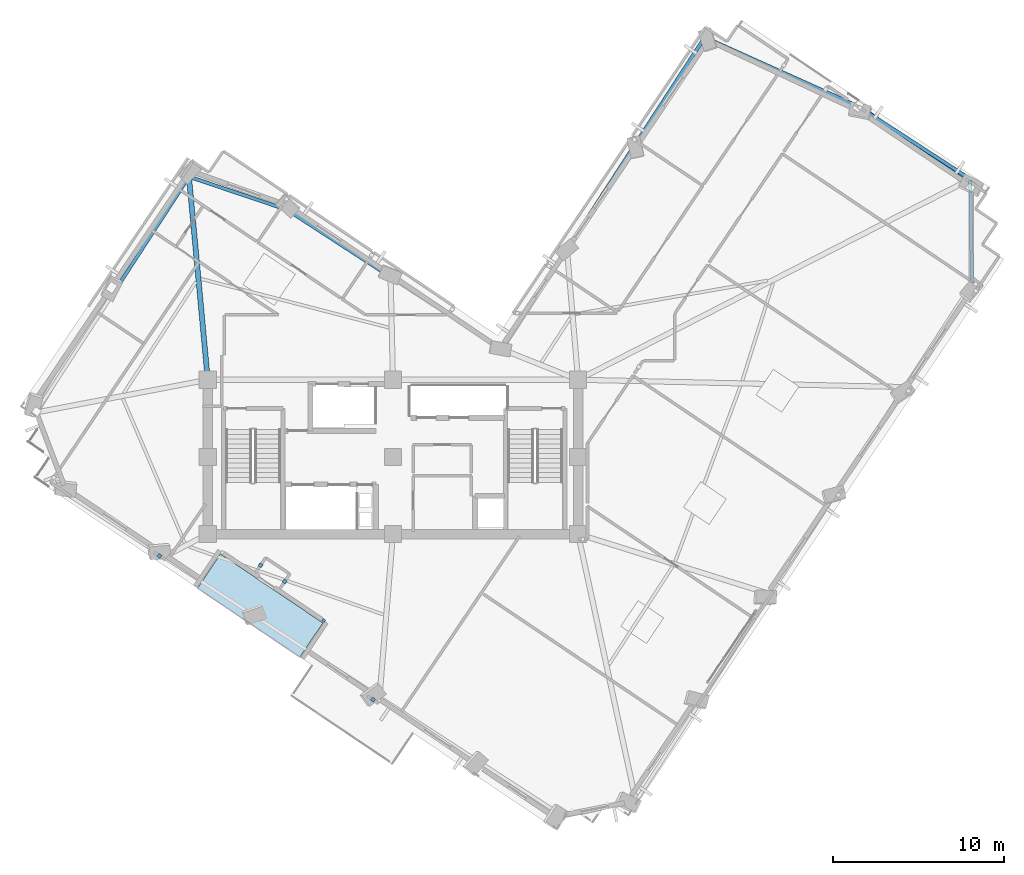
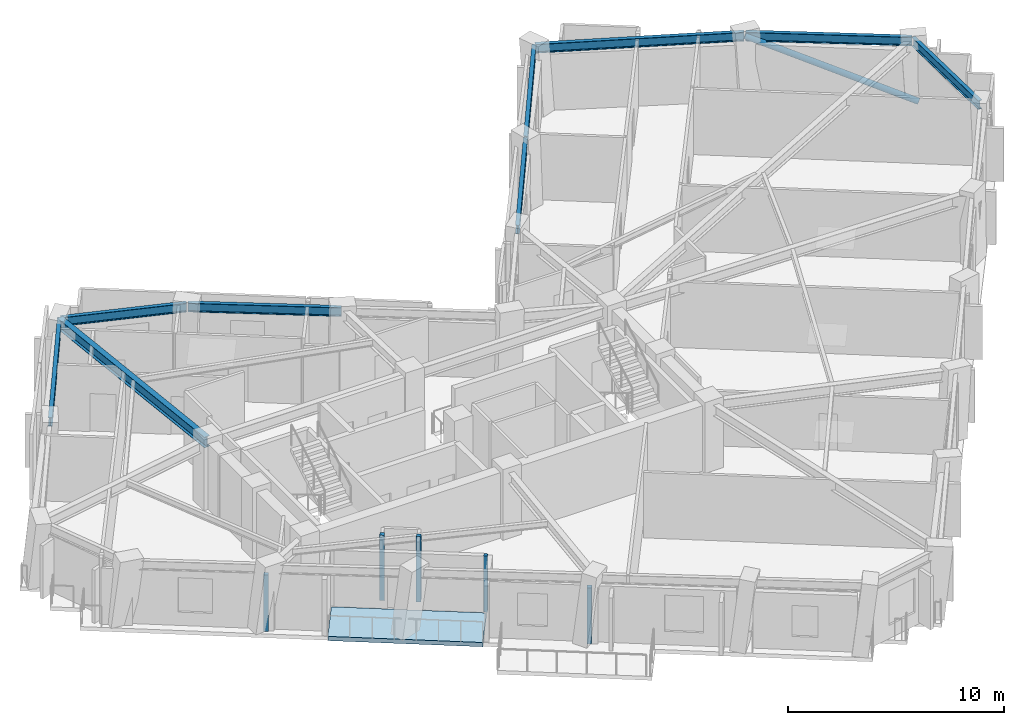
# One storey, part 3 of 14: 9 beams, 5 plates, 1 member, 1 slab.
"""IFC4 building model written with IfcOpenShell, lengths in metres."""

from ifc_helpers import new_model, si_unit, direction, frame, origin, origin_2d, place, context, subcontext, project, spatial, polyline, rectangle, hollow_circle, i_section, outline, extrude, material, layer, layer_set, material_profile, profile_set, type_object, element, save


model = new_model("IFC4")

# Units and contexts
model_context = context("Model", 3, precision=1e-05, world=origin(), true_north=direction((0.0, 1.0)))
body_context = subcontext(model_context, "Body", "Model", "MODEL_VIEW")
ifc_project = project(units=[si_unit("LENGTHUNIT", "METRE"), si_unit("AREAUNIT", "SQUARE_METRE"), si_unit("VOLUMEUNIT", "CUBIC_METRE"), si_unit("PLANEANGLEUNIT", "RADIAN"), si_unit("MASSUNIT", "GRAM", prefix="KILO")], contexts=[model_context])

# Site, building, storey
site_placement = place(None, origin())
site = spatial("IfcSite", under=ifc_project, at=site_placement, CompositionType="ELEMENT")
building_placement = place(site_placement, origin())
building = spatial("IfcBuilding", under=site, at=building_placement, Name="Gaonmaruhae Medical Tower", CompositionType="ELEMENT")
storey_placement = place(building_placement, frame((0.0, 0.0, 263.199951171875)))
storey = spatial("IfcBuildingStorey", under=building, at=storey_placement, Name="L63", CompositionType="ELEMENT", Elevation=263.199951171875)

# Member
ifc_material_1 = material(Name="Steel SM355", Category="steel")
ifc_material_profile_1 = material_profile(ifc_material_1, hollow_circle(Radius=0.1591796875, WallThickness=0.01025390625, at=origin_2d()), Name="CHS-318.5x10.3")
ifc_profile_set_1 = profile_set([ifc_material_profile_1], Name="Steel SM355")
member_type = type_object("IfcMemberType", Name="PB-03 Perimeter Solid-Bay Tube Brace Upper (CHS-318.5x10.3)", PredefinedType="BRACE", material=ifc_profile_set_1)
member_placement = place(storey_placement, frame((58.53515625, 28.08447265625, 0.25), z_axis=(-0.75942563802, 0.536362617678, 0.36822254504), x_axis=(-0.576896718359, -0.816817100915, 0.0)))
element("IfcMember", 1, at=member_placement, inside=storey, type_object=member_type, Name="L63 Perimeter Tube Solid-Bay Brace E01-E02", PredefinedType="BRACE", context=body_context, shape_type="SweptSolid", body=[
    extrude(hollow_circle(Radius=0.1591796875, WallThickness=0.01025390625, at=origin_2d()), origin(), (0.0, 0.0, 1.0), 8.690185546875),
])

# Beams
ifc_material_2 = material(Name="Steel SM420", Category="steel")
ifc_material_profile_2 = material_profile(ifc_material_2, i_section(OverallWidth=0.300048828125, OverallDepth=0.60009765625, WebThickness=0.011962890625, FlangeThickness=0.02001953125, FilletRadius=0.012939453125, at=origin_2d()), Name="H-600x300x12x20")
ifc_profile_set_2 = profile_set([ifc_material_profile_2], Name="Steel SM420")
beam_type_1 = type_object("IfcBeamType", Name="PG-04 Zone 4 Radial Floor Girder (H-600x300x12x20)", PredefinedType="BEAM", material=ifc_profile_set_2)
beam_1_placement = place(storey_placement, frame((13.995361328125, 16.849853515625, 3.400146484375), z_axis=(-0.092191368153, 0.995741307589, 0.0), x_axis=(-0.995741307589, -0.092191368153, 0.0)))
element("IfcBeam", 2, at=beam_1_placement, inside=storey, type_object=beam_type_1, Name="L63 Radial Primary Girder N01", PredefinedType="BEAM", context=body_context, shape_type="SweptSolid", body=[
    extrude(i_section(OverallWidth=0.300048828125, OverallDepth=0.60009765625, WebThickness=0.011962890625, FlangeThickness=0.02001953125, FilletRadius=0.012939453125, at=origin_2d()), origin(), (0.0, 0.0, 1.0), 11.79248046875),
])
ifc_material_profile_3 = material_profile(ifc_material_1, i_section(OverallWidth=0.199951171875, OverallDepth=0.5, WebThickness=0.010009765625, FlangeThickness=0.01611328125, FilletRadius=0.012939453125, at=origin_2d()), Name="H-500x200x10x16")
ifc_profile_set_3 = profile_set([ifc_material_profile_3], Name="Steel SM355")
beam_type_2 = type_object("IfcBeamType", Name="SP-02 Upper Perimeter Spandrel Beam (H-500x200x10x16)", PredefinedType="SPANDREL", material=ifc_profile_set_3)
beam_2_placement = place(storey_placement, frame((58.57763671875, 22.450439453125, 3.449951171875), z_axis=(-0.016620341633, 0.999861872582, 0.0), x_axis=(-0.999861872582, -0.016620341633, 0.0)))
element("IfcBeam", 3, at=beam_2_placement, inside=storey, type_object=beam_type_2, Name="L63 Perimeter Spandrel Beam S06-E01", PredefinedType="SPANDREL", context=body_context, shape_type="SweptSolid", body=[
    extrude(i_section(OverallWidth=0.199951171875, OverallDepth=0.5, WebThickness=0.010009765625, FlangeThickness=0.01611328125, FilletRadius=0.012939453125, at=origin_2d()), origin(), (0.0, 0.0, 1.0), 6.0078125),
])
beam_3_placement = place(storey_placement, frame((58.443603515625, 28.519287109375, 3.449951171875), z_axis=(-0.838674747919, 0.544632598366, 0.0), x_axis=(-0.544632598366, -0.838674747919, 0.0)))
element("IfcBeam", 4, at=beam_3_placement, inside=storey, type_object=beam_type_2, Name="L63 Perimeter Spandrel Beam E01-E02", PredefinedType="SPANDREL", context=body_context, shape_type="SweptSolid", body=[
    extrude(i_section(OverallWidth=0.199951171875, OverallDepth=0.5, WebThickness=0.010009765625, FlangeThickness=0.01611328125, FilletRadius=0.012939453125, at=origin_2d()), origin(), (0.0, 0.0, 1.0), 7.719970703125),
])
beam_4_placement = place(storey_placement, frame((51.899169921875, 32.761962890625, 3.449951171875), z_axis=(-0.912053311892, 0.410071647724, 0.0), x_axis=(-0.410071647724, -0.912053311892, 0.0)))
element("IfcBeam", 5, at=beam_4_placement, inside=storey, type_object=beam_type_2, Name="L63 Perimeter Spandrel Beam E02-E03", PredefinedType="SPANDREL", context=body_context, shape_type="SweptSolid", body=[
    extrude(i_section(OverallWidth=0.199951171875, OverallDepth=0.5, WebThickness=0.010009765625, FlangeThickness=0.01611328125, FilletRadius=0.012939453125, at=origin_2d()), origin(), (0.0, 0.0, 1.0), 9.7353515625),
])
beam_5_placement = place(storey_placement, frame((42.961669921875, 36.737060546875, 3.449951171875), z_axis=(-0.544628730556, -0.838677259649, 0.0), x_axis=(0.838677259649, -0.544628730556, 0.0)))
element("IfcBeam", 6, at=beam_5_placement, inside=storey, type_object=beam_type_2, Name="L63 Perimeter Spandrel Beam E03-EN01", PredefinedType="SPANDREL", context=body_context, shape_type="SweptSolid", body=[
    extrude(i_section(OverallWidth=0.199951171875, OverallDepth=0.5, WebThickness=0.010009765625, FlangeThickness=0.01611328125, FilletRadius=0.012939453125, at=origin_2d()), origin(), (0.0, 0.0, 1.0), 7.469970703125),
])
beam_6_placement = place(storey_placement, frame((38.849609375, 30.405029296875, 3.449951171875), z_axis=(-0.544633948011, -0.838673871463, 0.0), x_axis=(0.838673871463, -0.544633948011, 0.0)))
element("IfcBeam", 7, at=beam_6_placement, inside=storey, type_object=beam_type_2, Name="L63 Perimeter Spandrel Beam EN01-EN02", PredefinedType="SPANDREL", context=body_context, shape_type="SweptSolid", body=[
    extrude(i_section(OverallWidth=0.199951171875, OverallDepth=0.5, WebThickness=0.010009765625, FlangeThickness=0.01611328125, FilletRadius=0.012939453125, at=origin_2d()), origin(), (0.0, 0.0, 1.0), 7.119873046875),
])
beam_7_placement = place(storey_placement, frame((24.631591796875, 22.814208984375, 3.449951171875), z_axis=(-0.838684042444, 0.544618285545, 0.0), x_axis=(-0.544618285545, -0.838684042444, 0.0)))
element("IfcBeam", 8, at=beam_7_placement, inside=storey, type_object=beam_type_2, Name="L63 Perimeter Spandrel Beam NE01-NE02", PredefinedType="SPANDREL", context=body_context, shape_type="SweptSolid", body=[
    extrude(i_section(OverallWidth=0.199951171875, OverallDepth=0.5, WebThickness=0.010009765625, FlangeThickness=0.01611328125, FilletRadius=0.012939453125, at=origin_2d()), origin(), (0.0, 0.0, 1.0), 7.1201171875),
])
beam_8_placement = place(storey_placement, frame((18.5888671875, 26.7265625, 3.449951171875), z_axis=(-0.947666537012, 0.319261859024, 0.0), x_axis=(-0.319261859024, -0.947666537012, 0.0)))
element("IfcBeam", 9, at=beam_8_placement, inside=storey, type_object=beam_type_2, Name="L63 Perimeter Spandrel Beam NE02-N01", PredefinedType="SPANDREL", context=body_context, shape_type="SweptSolid", body=[
    extrude(i_section(OverallWidth=0.199951171875, OverallDepth=0.5, WebThickness=0.010009765625, FlangeThickness=0.01611328125, FilletRadius=0.012939453125, at=origin_2d()), origin(), (0.0, 0.0, 1.0), 5.959228515625),
])
beam_9_placement = place(storey_placement, frame((12.8818359375, 28.6083984375, 3.449951171875), z_axis=(-0.544648014142, -0.838664736764, 0.0), x_axis=(0.838664736764, -0.544648014142, 0.0)))
element("IfcBeam", 10, at=beam_9_placement, inside=storey, type_object=beam_type_2, Name="L63 Perimeter Spandrel Beam N01-N02", PredefinedType="SPANDREL", context=body_context, shape_type="SweptSolid", body=[
    extrude(i_section(OverallWidth=0.199951171875, OverallDepth=0.5, WebThickness=0.010009765625, FlangeThickness=0.01611328125, FilletRadius=0.012939453125, at=origin_2d()), origin(), (0.0, 0.0, 1.0), 8.1201171875),
])

# Plates
ifc_material_3 = material(Name="Anodised aluminium 6063-T6", Category="aluminium")
ifc_layer_1 = layer(ifc_material_3, 0.011962890625)
ifc_layer_set_1 = layer_set([ifc_layer_1], Name="Anodised aluminium 6063-T6")
plate_type = type_object("IfcPlateType", Name="PP-01 Interior Partition Corner Stiffener Plate", PredefinedType="SHEET", material=ifc_layer_set_1)
plate_1_placement = place(storey_placement, frame((20.75830078125, 2.753173828125, 0.0), z_axis=(0.0, 0.0, 1.0), x_axis=(-0.829525244685, 0.558469218875, 0.0)))
element("IfcPlate", 11, at=plate_1_placement, inside=storey, type_object=plate_type, Name="L63 Partition End Jamb Post Plate PLT-L63-ENDP-TERB-0", PredefinedType="SHEET", context=body_context, shape_type="SweptSolid", body=[
    extrude(rectangle(XDim=0.179931640625, YDim=0.179931640625, at=origin_2d()), origin(), (0.0, 0.0, 1.0), 3.18505859375),
])
plate_2_placement = place(storey_placement, frame((23.638427734375, -1.862548828125, 0.0), z_axis=(0.0, 0.0, 1.0), x_axis=(-0.82989545303, 0.557918934112, 0.0)))
element("IfcPlate", 12, at=plate_2_placement, inside=storey, type_object=plate_type, Name="L63 Partition Corner Stiffener Plate PLT-L63-JGP-PW038", PredefinedType="SHEET", context=body_context, shape_type="SweptSolid", body=[
    extrude(rectangle(XDim=0.219970703125, YDim=0.219970703125, at=origin_2d()), origin(), (0.0, 0.0, 1.0), 3.18505859375),
])
for number, where, z_axis, x_axis, name in (
    (13, (18.489013671875, 5.031494140625, 0.0), (0.0, 0.0, 1.0), (0.559062671655, 0.829125400143, 0.0), "L63 Partition Corner Stiffener Plate PLT-L63-JGP-PW041"),
    (14, (17.07861328125, 5.98046875, 0.0), (0.0, 0.0, 1.0), (-0.558411305727, -0.82956423117, 0.0), "L63 Partition Corner Stiffener Plate PLT-L63-JGP-PW043"),
):
    element("IfcPlate", number, at=place(storey_placement, frame(where, z_axis=z_axis, x_axis=x_axis)), inside=storey, type_object=plate_type, Name=name, PredefinedType="SHEET", context=body_context, shape_type="SweptSolid", body=[
        extrude(rectangle(XDim=0.219970703125, YDim=0.219970703125, at=origin_2d()), origin(), (0.0, 0.0, 1.0), 3.699951171875),
    ])
plate_3_placement = place(storey_placement, frame((11.1845703125, 6.5224609375, 0.0), z_axis=(0.0, 0.0, 1.0), x_axis=(-0.82938876015, 0.558671893455, 0.0)))
element("IfcPlate", 15, at=plate_3_placement, inside=storey, type_object=plate_type, Name="L63 Partition Corner Stiffener Plate PLT-L63-JGP-PW048", PredefinedType="SHEET", context=body_context, shape_type="SweptSolid", body=[
    extrude(rectangle(XDim=0.219970703125, YDim=0.219970703125, at=origin_2d()), origin(), (0.0, 0.0, 1.0), 3.18505859375),
])

# Slab
ifc_material_4 = material(Name="Concrete C40/50", Category="concrete")
ifc_layer_2 = layer(ifc_material_4, 0.239990234375)
ifc_layer_set_2 = layer_set([ifc_layer_2], Name="Concrete C40/50")
slab_type = type_object("IfcSlabType", Name="TS-240 Sky Garden & Recovery Terrace Slab", PredefinedType="FLOOR", material=ifc_layer_set_2)
slab_placement = place(storey_placement, frame((0.0, 0.0, -0.239990234375)))
element("IfcSlab", 16, at=slab_placement, inside=storey, type_object=slab_type, Name="L63 Outdoor Recovery Terrace Slab", PredefinedType="FLOOR", context=body_context, shape_type="SweptSolid", body=[
    extrude(outline(polyline([(19.373046875, 0.623779296875), (20.71337890625, 2.61474609375), (14.74072265625, 6.6357421875), (13.400390625, 4.644775390625), (19.373046875, 0.623779296875)])), origin(), (0.0, 0.0, 1.0), 0.239990234375),
])

save(model, "model.ifc")
